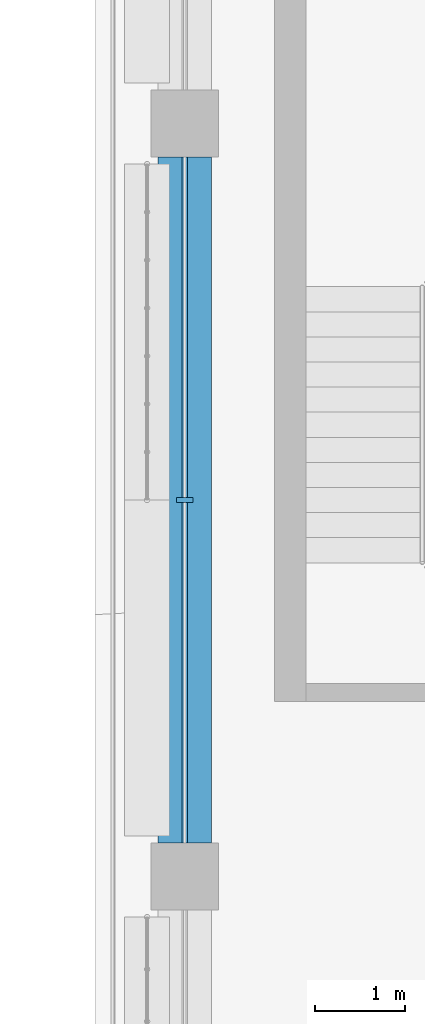
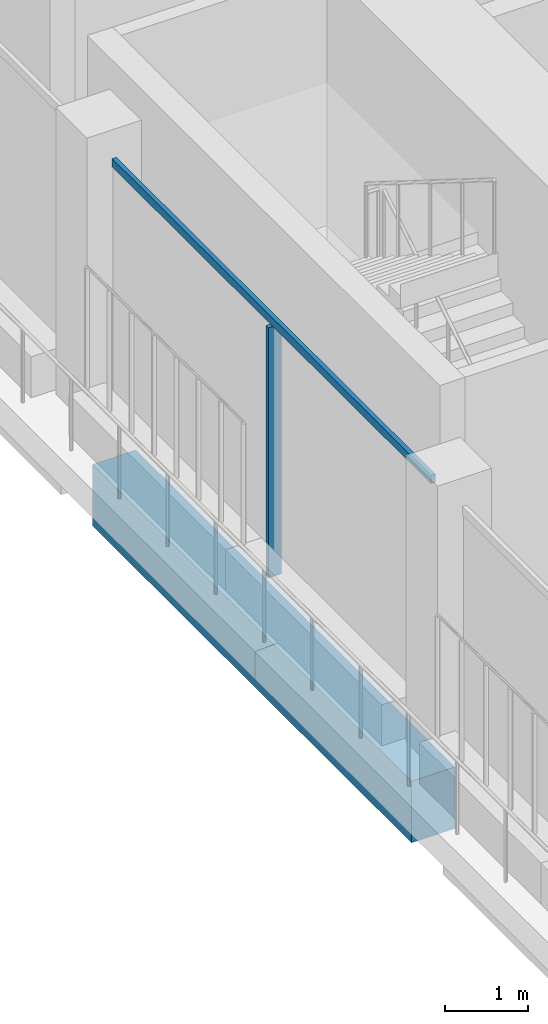
# One storey, part 3 of 20: 2 members, 1 beam, 1 element without a shape of its own.
"""IFC4 building model written with IfcOpenShell, lengths in metres."""

from ifc_helpers import new_model, si_unit, direction, frame, origin, origin_2d, place, context, subcontext, project, spatial, rectangle, extrude, material, layer, layer_set, material_profile, profile_set, type_object, element, aggregate, save


model = new_model("IFC4")

# Units and contexts
model_context = context("Model", 3, precision=1e-05, world=origin(), true_north=direction((0.0, 1.0)))
body_context = subcontext(model_context, "Body", "Model", "MODEL_VIEW")
ifc_project = project(units=[si_unit("LENGTHUNIT", "METRE"), si_unit("AREAUNIT", "SQUARE_METRE"), si_unit("VOLUMEUNIT", "CUBIC_METRE"), si_unit("PLANEANGLEUNIT", "RADIAN"), si_unit("MASSUNIT", "GRAM", prefix="KILO")], contexts=[model_context])

# Site, building, storey
site_placement = place(None, origin())
site = spatial("IfcSite", under=ifc_project, at=site_placement, CompositionType="ELEMENT")
building_placement = place(site_placement, origin())
building = spatial("IfcBuilding", under=site, at=building_placement, Name="Kawkab Arch Medical Tower", CompositionType="ELEMENT")
storey_placement = place(building_placement, frame((0.0, 0.0, 328.0)))
storey = spatial("IfcBuildingStorey", under=building, at=storey_placement, Name="L76", CompositionType="ELEMENT", Elevation=328.0)

# Curtain wall, members
ifc_material_1 = material(Name="Bronze anodised aluminium curtain wall frame", Category="aluminium")
ifc_layer = layer(ifc_material_1, 0.159912109375)
ifc_layer_set = layer_set([ifc_layer], Name="Bronze anodised aluminium curtain wall frame")
curtain_wall_type = type_object("IfcCurtainWallType", Name="CW1 ward curtain wall", PredefinedType="NOTDEFINED", material=ifc_layer_set)
curtain_wall_placement = place(storey_placement, origin())
curtain_wall = element("IfcCurtainWall", 1, at=curtain_wall_placement, inside=storey, type_object=curtain_wall_type, Name="CW1 Ward curtain wall R02", PredefinedType="NOTDEFINED")
ifc_material_2 = material(Name="Bronze anodised aluminium curtain wall frame", Category="aluminium")
ifc_material_profile_1 = material_profile(ifc_material_2, rectangle(XDim=0.179931640625, YDim=0.06005859375, at=origin_2d()), Name="AL 60x180")
ifc_profile_set_1 = profile_set([ifc_material_profile_1], Name="Bronze anodised aluminium curtain wall frame")
member_type_1 = type_object("IfcMemberType", Name="CW1 mullion 60 x 180", PredefinedType="MULLION", material=ifc_profile_set_1)
member_1_placement = place(storey_placement, frame((0.0, -21.0, 0.0), z_axis=(0.0, 0.0, 1.0), x_axis=(1.0, 0.0, 0.0)))
member_1 = element("IfcMember", 2, at=member_1_placement, type_object=member_type_1, Name="CW1 mullion 2.1", PredefinedType="MULLION", context=body_context, shape_type="SweptSolid", body=[
    extrude(rectangle(XDim=0.179931640625, YDim=0.06005859375, at=origin_2d()), origin(), (0.0, 0.0, 1.0), 3.659912109375),
])
ifc_material_3 = material(Name="Bronze anodised aluminium curtain wall frame", Category="aluminium")
ifc_material_profile_2 = material_profile(ifc_material_3, rectangle(XDim=0.06005859375, YDim=0.1201171875, at=origin_2d()), Name="AL 60x120")
ifc_profile_set_2 = profile_set([ifc_material_profile_2], Name="Bronze anodised aluminium curtain wall frame")
member_type_2 = type_object("IfcMemberType", Name="CW1 transom 120 x 60", PredefinedType="USERDEFINED", material=ifc_profile_set_2)
member_2_placement = place(storey_placement, frame((0.0, -17.175048828125, 3.719970703125), z_axis=(0.0, -1.0, 0.0), x_axis=(1.0, 0.0, 0.0)))
member_2 = element("IfcMember", 3, at=member_2_placement, type_object=member_type_2, Name="CW1 transom 2", ObjectType="TRANSOM", PredefinedType="USERDEFINED", context=body_context, shape_type="SweptSolid", body=[
    extrude(rectangle(XDim=0.06005859375, YDim=0.1201171875, at=origin_2d()), origin(), (0.0, 0.0, 1.0), 7.64990234375),
])
aggregate(curtain_wall, [member_2, member_1])

# Beam
ifc_material_4 = material(Name="Concrete C40/50", Category="concrete")
ifc_material_profile_3 = material_profile(ifc_material_4, rectangle(XDim=0.60009765625, YDim=0.89990234375, at=origin_2d()), Name="RC 600x900")
ifc_profile_set_3 = profile_set([ifc_material_profile_3], Name="Concrete C40/50")
beam_type = type_object("IfcBeamType", Name="RC 600x900 beam C40/50", PredefinedType="BEAM", material=ifc_profile_set_3)
beam_placement = place(storey_placement, frame((0.0, -24.824951171875, -1.050048828125), z_axis=(0.0, 1.0, 0.0), x_axis=(-1.0, 0.0, 0.0)))
element("IfcBeam", 4, at=beam_placement, inside=storey, type_object=beam_type, Name="Overhang edge beam L76-04", PredefinedType="BEAM", context=body_context, shape_type="SweptSolid", body=[
    extrude(rectangle(XDim=0.60009765625, YDim=0.89990234375, at=origin_2d()), origin(), (0.0, 0.0, 1.0), 7.64990234375),
])

save(model, "model.ifc")
